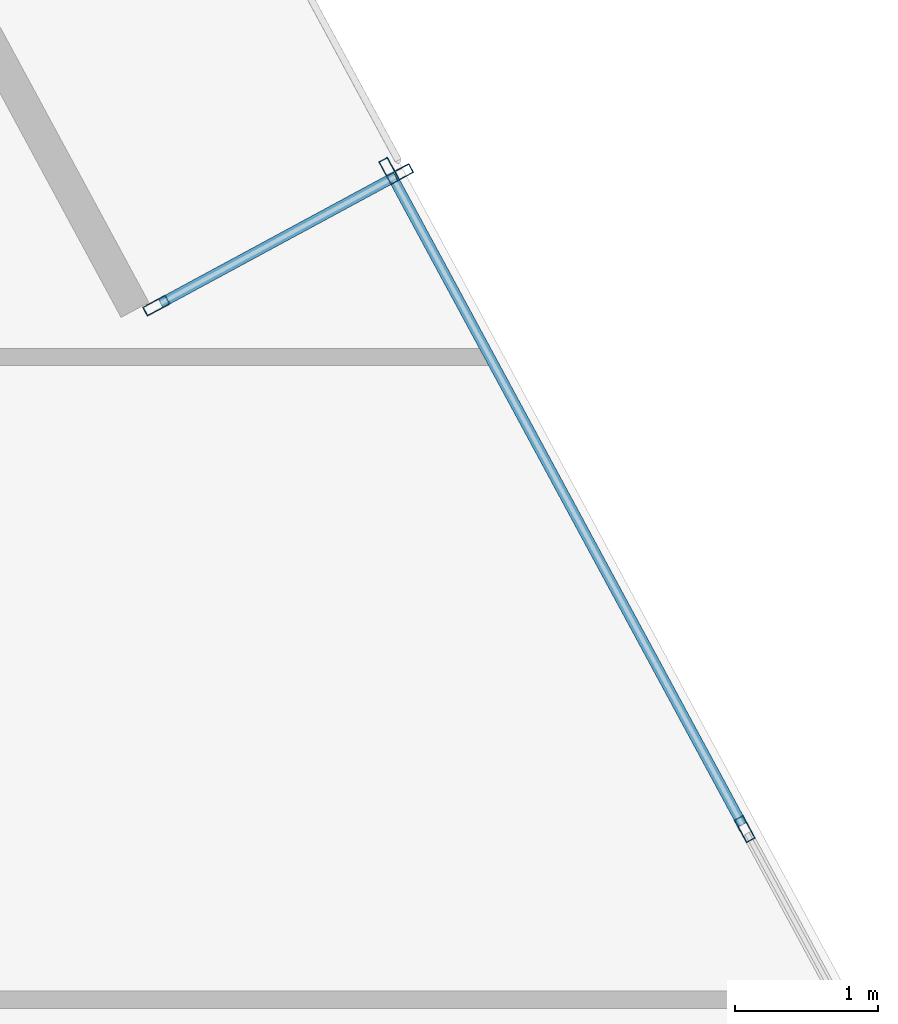
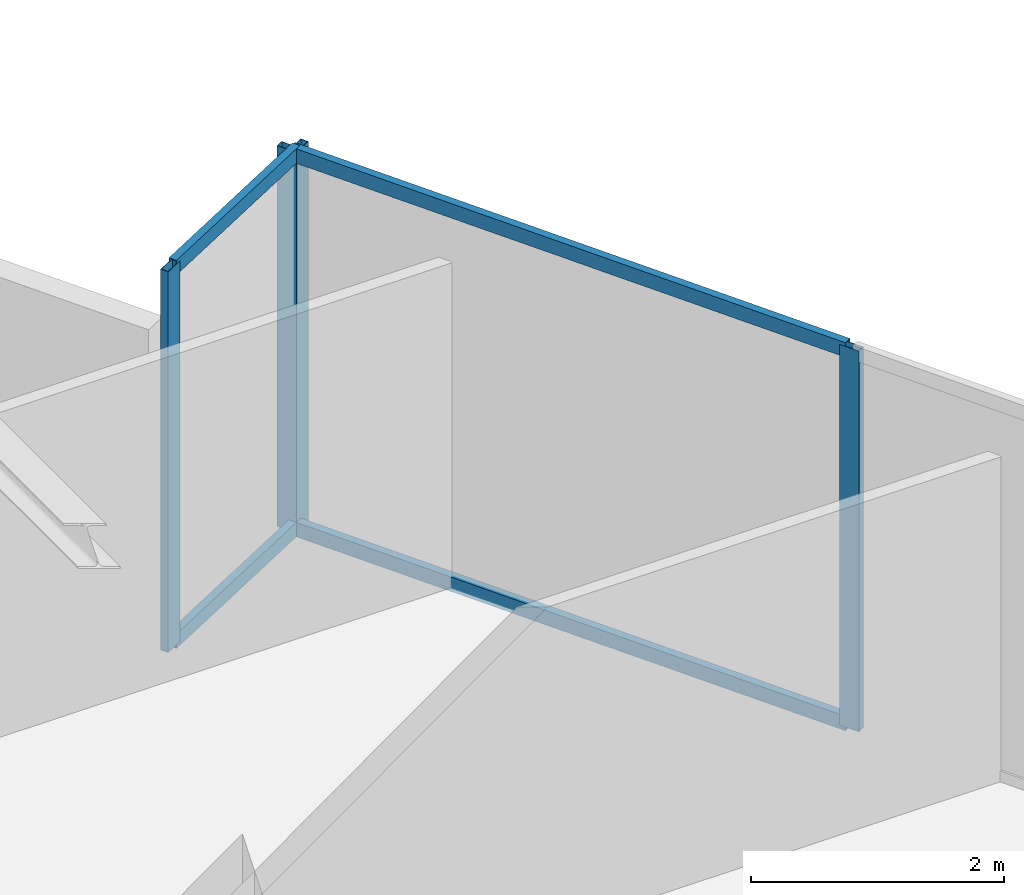
# One storey, part 12 of 22: 8 members, 2 elements without a shape of their own.
"""IFC4 building model written with IfcOpenShell, lengths in metres."""

from ifc_helpers import new_model, si_unit, direction, frame, origin, origin_2d, place, context, subcontext, project, spatial, hollow_rectangle, extrude, source, transform, mapped, material, material_profile, profile_set, type_object, type_shapes, element, aggregate, save


model = new_model("IFC4")

# Units and contexts
model_context = context("Model", 3, precision=1e-05, world=origin(), true_north=direction((0.0, 1.0)))
body_context = subcontext(model_context, "Body", "Model", "MODEL_VIEW")
ifc_project = project(units=[si_unit("LENGTHUNIT", "METRE"), si_unit("AREAUNIT", "SQUARE_METRE"), si_unit("VOLUMEUNIT", "CUBIC_METRE"), si_unit("PLANEANGLEUNIT", "RADIAN"), si_unit("MASSUNIT", "GRAM", prefix="KILO")], contexts=[model_context])

# Site, building, storey
site_placement = place(None, origin())
site = spatial("IfcSite", under=ifc_project, at=site_placement, CompositionType="ELEMENT")
building_placement = place(site_placement, origin())
building = spatial("IfcBuilding", under=site, at=building_placement, Name="Krantzveldt Concourse Tower", CompositionType="ELEMENT")
storey_placement = place(building_placement, frame((0.0, 0.0, 306.89990234375)))
storey = spatial("IfcBuildingStorey", under=building, at=storey_placement, Name="L75", CompositionType="ELEMENT", Elevation=306.89990234375)

# Curtain wall, members
ifc_material = material(Name="Anodised aluminium 6063-T6", Category="aluminium")
curtain_wall_type_1 = type_object("IfcCurtainWallType", Name="CW4", PredefinedType="USERDEFINED", material=ifc_material)
curtain_wall_1_placement = place(storey_placement, origin())
curtain_wall_1 = element("IfcCurtainWall", 1, at=curtain_wall_1_placement, inside=storey, type_object=curtain_wall_type_1, Name="CW-L75-F10", ObjectType="UNITISED CURTAIN WALL", PredefinedType="USERDEFINED")
ifc_material_profile_1 = material_profile(ifc_material, hollow_rectangle(XDim=0.070068359375, YDim=0.179931640625, WallThickness=0.0048828125, at=origin_2d()), Name="Anodised aluminium 6063-T6", Category="aluminium")
ifc_profile_set_1 = profile_set([ifc_material_profile_1], Name="Anodised aluminium 6063-T6 - ALU-MULL 180x70x5")
member_type_1 = type_object("IfcMemberType", Name="CW-MUL-180", PredefinedType="MULLION", material=ifc_profile_set_1)
shared_shape_1 = source(origin(), body_context, "Body", "SweptSolid", [
    extrude(hollow_rectangle(XDim=0.070068359375, YDim=0.179931640625, WallThickness=0.0048828125, at=origin_2d()), origin(), (0.0, 0.0, 1.0), 3.670166015625),
])
type_shapes(member_type_1, [shared_shape_1])
member_1_placement = place(storey_placement, frame((57.466796875, 28.00927734375, 0.0), z_axis=(0.0, 0.0, 1.0), x_axis=(-0.879856202129, -0.475240006286, 0.0)))
member_1 = element("IfcMember", 2, at=member_1_placement, type_object=member_type_1, Name="CW-Z56 mullion 2", PredefinedType="MULLION", context=body_context, shape_type="MappedRepresentation", body=[
    mapped(shared_shape_1, transform((0.0, 0.0, 0.0), x_axis=(1.0, 0.0, 0.0), y_axis=(0.0, 1.0, 0.0), z_axis=(0.0, 0.0, 1.0), scale=1.0)),
])
member_2_placement = place(storey_placement, frame((54.988525390625, 32.59765625, 0.0), z_axis=(0.0, 0.0, 1.0), x_axis=(-0.879856202129, -0.475240006286, 0.0)))
member_2 = element("IfcMember", 3, at=member_2_placement, type_object=member_type_1, Name="CW-Z56 mullion 3", PredefinedType="MULLION", context=body_context, shape_type="MappedRepresentation", body=[
    mapped(shared_shape_1, transform((0.0, 0.0, 0.0), x_axis=(1.0, 0.0, 0.0), y_axis=(0.0, 1.0, 0.0), z_axis=(0.0, 0.0, 1.0), scale=1.0)),
])

curtain_wall_type_2 = type_object("IfcCurtainWallType", Name="CW6", PredefinedType="USERDEFINED", material=ifc_material)
curtain_wall_2_placement = place(storey_placement, origin())
curtain_wall_2 = element("IfcCurtainWall", 4, at=curtain_wall_2_placement, inside=storey, type_object=curtain_wall_type_2, Name="CW-L75-TR11", ObjectType="UNITISED CURTAIN WALL", PredefinedType="USERDEFINED")
member_3_placement = place(storey_placement, frame((55.06298828125, 32.575439453125, 0.0), z_axis=(0.0, 0.0, 1.0), x_axis=(0.475240504079, -0.879855933255, 0.0)))
member_3 = element("IfcMember", 5, at=member_3_placement, type_object=member_type_1, Name="CW-TERR mullion 1", PredefinedType="MULLION", context=body_context, shape_type="MappedRepresentation", body=[
    mapped(shared_shape_1, transform((0.0, 0.0, 0.0), x_axis=(1.0, 0.0, 0.0), y_axis=(0.0, 1.0, 0.0), z_axis=(0.0, 0.0, 1.0), scale=1.0)),
])
member_4_placement = place(storey_placement, frame((53.364990234375, 31.658203125, 0.0), z_axis=(0.0, 0.0, 1.0), x_axis=(0.475240504079, -0.879855933255, 0.0)))
member_4 = element("IfcMember", 6, at=member_4_placement, type_object=member_type_1, Name="CW-TERR mullion 2", PredefinedType="MULLION", context=body_context, shape_type="MappedRepresentation", body=[
    mapped(shared_shape_1, transform((0.0, 0.0, 0.0), x_axis=(1.0, 0.0, 0.0), y_axis=(0.0, 1.0, 0.0), z_axis=(0.0, 0.0, 1.0), scale=1.0)),
])
ifc_material_profile_2 = material_profile(ifc_material, hollow_rectangle(XDim=0.070068359375, YDim=0.139892578125, WallThickness=0.0048828125, at=origin_2d()), Name="Anodised aluminium 6063-T6", Category="aluminium")
ifc_profile_set_2 = profile_set([ifc_material_profile_2], Name="Anodised aluminium 6063-T6 - ALU-TRAN 140x70x5")
member_type_2 = type_object("IfcMemberType", Name="CW-TRN-150", PredefinedType="USERDEFINED", material=ifc_profile_set_2)
shared_shape_2 = source(origin(), body_context, "Body", "SweptSolid", [
    extrude(hollow_rectangle(XDim=0.070068359375, YDim=0.139892578125, WallThickness=0.0048828125, at=origin_2d()), origin(), (0.0, 0.0, 1.0), 1.860107421875),
])
member_5_placement = place(storey_placement, frame((55.0322265625, 32.558837890625, 0.03515625), z_axis=(-0.879829655395, -0.475289151452, 0.0), x_axis=(0.475289151452, -0.879829655395, 0.0)))
member_5 = element("IfcMember", 7, at=member_5_placement, type_object=member_type_2, Name="CW-TERR transom 1.1", ObjectType="TRANSOM", PredefinedType="USERDEFINED", context=body_context, shape_type="MappedRepresentation", body=[
    mapped(shared_shape_2, transform((0.0, 0.0, 0.0), x_axis=(1.0, 0.0, 0.0), y_axis=(0.0, 1.0, 0.0), z_axis=(0.0, 0.0, 1.0), scale=1.0)),
])
member_6_placement = place(storey_placement, frame((55.0322265625, 32.558837890625, 3.635009765625), z_axis=(-0.879829655395, -0.475289151452, 0.0), x_axis=(0.475289151452, -0.879829655395, 0.0)))
member_6 = element("IfcMember", 8, at=member_6_placement, type_object=member_type_2, Name="CW-TERR transom 1.2", ObjectType="TRANSOM", PredefinedType="USERDEFINED", context=body_context, shape_type="MappedRepresentation", body=[
    mapped(shared_shape_2, transform((0.0, 0.0, 0.0), x_axis=(1.0, 0.0, 0.0), y_axis=(0.0, 1.0, 0.0), z_axis=(0.0, 0.0, 1.0), scale=1.0)),
])
aggregate(curtain_wall_2, [member_3, member_4, member_5, member_6])

# Member
shared_shape_3 = source(origin(), body_context, "Body", "SweptSolid", [
    extrude(hollow_rectangle(XDim=0.070068359375, YDim=0.139892578125, WallThickness=0.0048828125, at=origin_2d()), origin(), (0.0, 0.0, 1.0), 5.14501953125),
])
type_shapes(member_type_2, [shared_shape_2, shared_shape_3])
member_7_placement = place(storey_placement, frame((57.4501953125, 28.0400390625, 0.03515625), z_axis=(-0.475234147244, 0.87985936677, 0.0), x_axis=(-0.87985936677, -0.475234147244, 0.0)))
member_7 = element("IfcMember", 9, at=member_7_placement, type_object=member_type_2, Name="CW-Z56 transom 2.1", ObjectType="TRANSOM", PredefinedType="USERDEFINED", context=body_context, shape_type="MappedRepresentation", body=[
    mapped(shared_shape_3, transform((0.0, 0.0, 0.0), x_axis=(1.0, 0.0, 0.0), y_axis=(0.0, 1.0, 0.0), z_axis=(0.0, 0.0, 1.0), scale=1.0)),
])

member_8_placement = place(storey_placement, frame((57.4501953125, 28.0400390625, 3.635009765625), z_axis=(-0.475234147244, 0.87985936677, 0.0), x_axis=(-0.87985936677, -0.475234147244, 0.0)))
member_8 = element("IfcMember", 10, at=member_8_placement, type_object=member_type_2, Name="CW-Z56 transom 2.2", ObjectType="TRANSOM", PredefinedType="USERDEFINED", context=body_context, shape_type="MappedRepresentation", body=[
    mapped(shared_shape_3, transform((0.0, 0.0, 0.0), x_axis=(1.0, 0.0, 0.0), y_axis=(0.0, 1.0, 0.0), z_axis=(0.0, 0.0, 1.0), scale=1.0)),
])

aggregate(curtain_wall_1, [member_1, member_2, member_7, member_8])

save(model, "model.ifc")
